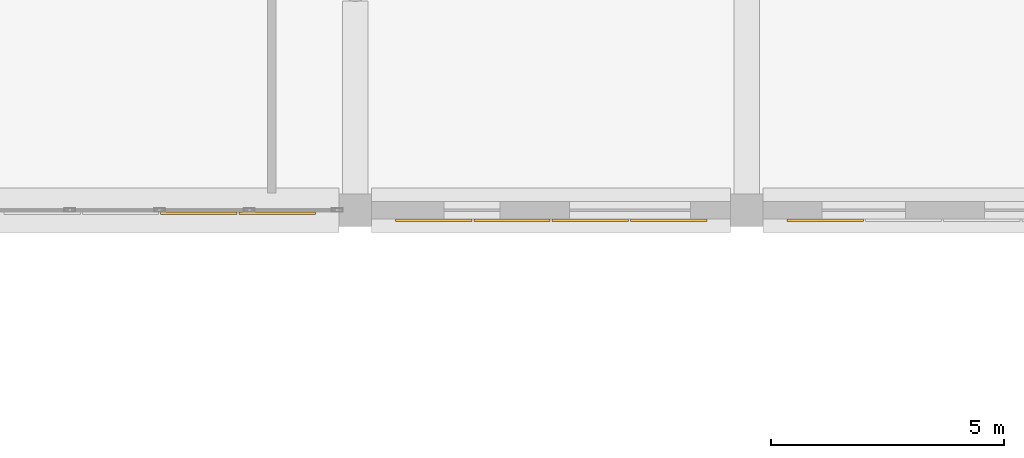
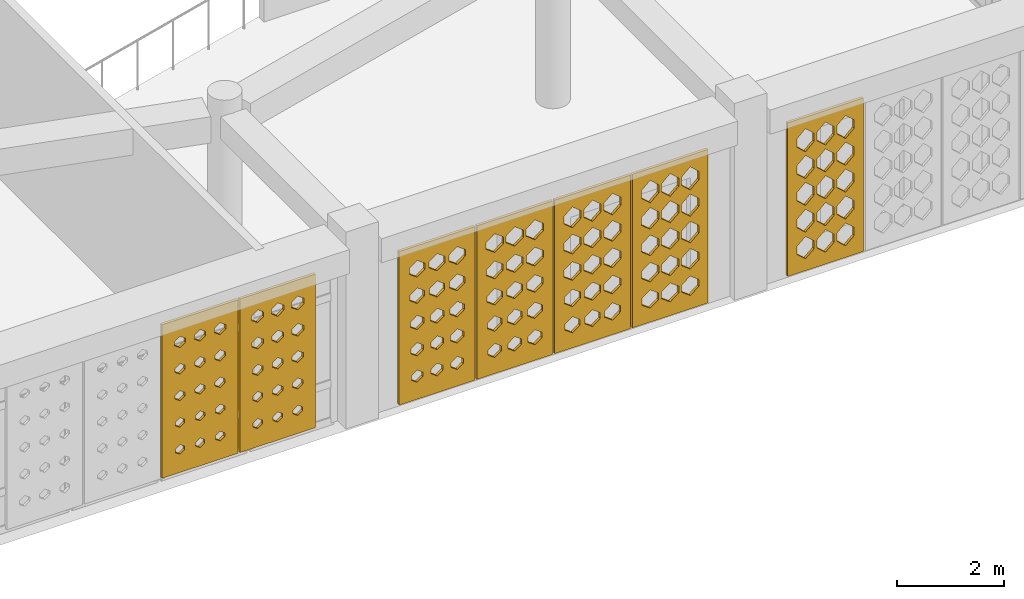
# One storey, part 64 of 79: 7 coverings.
"""IFC4 building model written with IfcOpenShell, lengths in metres."""

import ifcopenshell
import ifcopenshell.guid

model = None  # the IFC model being written
_history = None  # IfcOwnerHistory: only IFC2X3 demands one
_inside = {}  # id of a spatial element -> (the spatial element, [elements in it])
_under = {}  # id of a project, library or spatial element -> (it, [spatial elements below it])
_declared = {}  # id of a project -> (the project, [libraries it declares])
_typed = {}  # id of a type object -> (the type object, [elements of that type])
_made_of = {}  # id of a material, layer set ... -> (it, [elements and type objects made of it])


def new_model(schema):
    """Start an empty IFC model of exactly this schema.

    Asked for "IFC4X3", IfcOpenShell would pick the latest addendum, in which some entities
    have other attributes; the version numbers below select the first issue.
    IFC2X3 requires an IfcOwnerHistory on every rooted entity: one is made here for all.
    """
    global model, _history
    if schema == "IFC4X3":
        model = ifcopenshell.file(schema_version=(4, 3, 0, 0))
    else:
        model = ifcopenshell.file(schema=schema)
    _inside.clear()
    _under.clear()
    _declared.clear()
    _typed.clear()
    _made_of.clear()
    _history = None
    if model.schema == "IFC2X3":
        org = make("IfcOrganization", Name="unknown")
        user = make(
            "IfcPersonAndOrganization",
            ThePerson=make("IfcPerson", FamilyName="unknown"),
            TheOrganization=org,
        )
        app = make(
            "IfcApplication",
            ApplicationDeveloper=org,
            Version="unknown",
            ApplicationFullName="unknown",
            ApplicationIdentifier="unknown",
        )
        _history = make(
            "IfcOwnerHistory",
            OwningUser=user,
            OwningApplication=app,
            ChangeAction="ADDED",
            CreationDate=0,
        )
    return model


def make(cls, **values):
    """One entity of the class cls with the attributes given. An attribute that is None is left unset."""
    return model.create_entity(
        cls, **{name: value for name, value in values.items() if value is not None}
    )


def rooted(cls, **values):
    """An entity with a GlobalId (a new one), such as an element, a storey or a relation."""
    return make(cls, GlobalId=ifcopenshell.guid.new(), OwnerHistory=_history, **values)


def si_unit(unit_type, name, prefix=None):
    """IfcSIUnit, for example si_unit("LENGTHUNIT", "METRE", prefix="MILLI")."""
    return make("IfcSIUnit", UnitType=unit_type, Prefix=prefix, Name=name)


def derived_unit(unit_type, elements):
    """IfcDerivedUnit: a product of units, each with its exponent."""
    return make(
        "IfcDerivedUnit",
        Elements=[
            make("IfcDerivedUnitElement", Unit=unit, Exponent=power)
            for unit, power in elements
        ],
        UnitType=unit_type,
    )


def assignment(units):
    """IfcUnitAssignment: the units of a project."""
    return None if units is None else make("IfcUnitAssignment", Units=units)


def point(xyz):
    """IfcCartesianPoint."""
    return None if xyz is None else make("IfcCartesianPoint", Coordinates=xyz)


def direction(xyz):
    """IfcDirection."""
    return None if xyz is None else make("IfcDirection", DirectionRatios=xyz)


def frame(location, z_axis=None, x_axis=None):
    """IfcAxis2Placement3D, a coordinate frame: its origin and axes. An axis left out is left unset."""
    return make(
        "IfcAxis2Placement3D",
        Location=point(location),
        Axis=direction(z_axis),
        RefDirection=direction(x_axis),
    )


def origin():
    """The frame at (0, 0, 0) with its axes left unset."""
    return frame((0.0, 0.0, 0.0))


def place(relative_to, where):
    """IfcLocalPlacement: puts the frame where relative to a parent placement (None: the world)."""
    return make(
        "IfcLocalPlacement", PlacementRelTo=relative_to, RelativePlacement=where
    )


def context(
    kind, dimensions, precision=None, world=None, true_north=None, identifier=None
):
    """IfcGeometricRepresentationContext, for example the 3D "Model" context."""
    return make(
        "IfcGeometricRepresentationContext",
        ContextIdentifier=identifier,
        ContextType=kind,
        CoordinateSpaceDimension=dimensions,
        Precision=precision,
        WorldCoordinateSystem=world,
        TrueNorth=true_north,
    )


def subcontext(parent, identifier, kind, view, scale=None):
    """IfcGeometricRepresentationSubContext, for example "Body" below "Model"."""
    return make(
        "IfcGeometricRepresentationSubContext",
        ContextIdentifier=identifier,
        ContextType=kind,
        ParentContext=parent,
        TargetScale=scale,
        TargetView=view,
    )


def project(units=None, contexts=None):
    """IfcProject with its units and contexts."""
    return rooted(
        "IfcProject",
        Name="project",
        RepresentationContexts=contexts,
        UnitsInContext=assignment(units),
    )


def spatial(cls, under=None, at=None, **own):
    """A site, building, storey or space (cls), placed at a placement, below another one or the project."""
    s = rooted(cls, ObjectPlacement=at, **own)
    if under is not None:
        _under.setdefault(under.id(), (under, []))[1].append(s)
    return s


def polyline(points):
    """IfcPolyline through the points."""
    return make("IfcPolyline", Points=[point(p) for p in points])


def outline(outer, holes=None, kind="AREA"):
    """IfcArbitraryClosedProfileDef: a profile drawn as a closed curve; with holes, ...WithVoids."""
    if holes is None:
        return make("IfcArbitraryClosedProfileDef", ProfileType=kind, OuterCurve=outer)
    return make(
        "IfcArbitraryProfileDefWithVoids",
        ProfileType=kind,
        OuterCurve=outer,
        InnerCurves=holes,
    )


def extrude(swept, where, along, depth):
    """IfcExtrudedAreaSolid: the profile swept, set in the frame where, extruded along a direction by depth."""
    return make(
        "IfcExtrudedAreaSolid",
        SweptArea=swept,
        Position=where,
        ExtrudedDirection=direction(along),
        Depth=depth,
    )


def shape(context_of_items, identifier, shape_type, items):
    """IfcShapeRepresentation: the items that make up one representation, for example the "Body"."""
    return make(
        "IfcShapeRepresentation",
        ContextOfItems=context_of_items,
        RepresentationIdentifier=identifier,
        RepresentationType=shape_type,
        Items=items,
    )


def material(Name=None, Category=None):
    """IfcMaterial."""
    return make("IfcMaterial", Name=Name, Category=Category)


def layer(
    of_material, thickness, ventilated=None, Name=None, Category=None, Priority=None
):
    """IfcMaterialLayer: one layer of a wall or slab, of a material (None: an air gap)."""
    return make(
        "IfcMaterialLayer",
        Material=of_material,
        LayerThickness=thickness,
        IsVentilated=ventilated,
        Name=Name,
        Category=Category,
        Priority=Priority,
    )


def layer_set(layers, Name=None):
    """IfcMaterialLayerSet."""
    return make("IfcMaterialLayerSet", MaterialLayers=layers, LayerSetName=Name)


def made_of(thing, what):
    """Note that an element or type object is made of a material, layer set ...; save() writes the relation."""
    if what is not None:
        _made_of.setdefault(what.id(), (what, []))[1].append(thing)
    return thing


def type_object(cls, material=None, **own):
    """A type object (cls), such as IfcWallType, which elements share."""
    return made_of(rooted(cls, **own), material)


def element(
    cls,
    number,
    at=None,
    inside=None,
    cuts=None,
    type_object=None,
    material=None,
    context=None,
    identifier="Body",
    shape_type=None,
    held_by="IfcProductDefinitionShape",
    body=None,
    shapes=None,
    **own,
):
    """One element of the class cls, such as IfcWall. Its Tag is "e" and its number.

    at: its placement. inside: the storey or other place that contains it. cuts: it is an
    opening in that element (IfcRelVoidsElement). A single representation is given by context,
    identifier, shape_type and body (its items); several are given by shapes. held_by: the class
    of the entity that holds the representations. save() writes the other relations.
    """
    e = rooted(cls, Tag="e%d" % number, ObjectPlacement=at, **own)
    if body is not None:
        shapes = [shape(context, identifier, shape_type, body)]
    if shapes is not None:
        e.Representation = make(held_by, Representations=shapes)
    if inside is not None:
        _inside.setdefault(inside.id(), (inside, []))[1].append(e)
    if cuts is not None:
        rooted(
            "IfcRelVoidsElement", RelatingBuildingElement=cuts, RelatedOpeningElement=e
        )
    if type_object is not None:
        _typed.setdefault(type_object.id(), (type_object, []))[1].append(e)
    return made_of(e, material)


def aggregate(whole, parts):
    """IfcRelAggregates: a whole, such as a stair, and the parts it consists of."""
    return rooted("IfcRelAggregates", RelatingObject=whole, RelatedObjects=parts)


def save(model, path):
    """Write the relations noted so far, then the file.

    IfcRelAggregates (storeys below a building ...), IfcRelContainedInSpatialStructure (elements
    in a storey), IfcRelDefinesByType, IfcRelAssociatesMaterial and IfcRelDeclares: one each for
    every whole, place, type object, material and project.
    """
    for whole, parts in _under.values():
        aggregate(whole, parts)
    for where, things in _inside.values():
        rooted(
            "IfcRelContainedInSpatialStructure",
            RelatedElements=things,
            RelatingStructure=where,
        )
    for kind, things in _typed.values():
        rooted("IfcRelDefinesByType", RelatedObjects=things, RelatingType=kind)
    for what, things in _made_of.values():
        rooted("IfcRelAssociatesMaterial", RelatedObjects=things, RelatingMaterial=what)
    for by, libraries in _declared.values():
        rooted("IfcRelDeclares", RelatingContext=by, RelatedDefinitions=libraries)
    model.write(path)


model = new_model("IFC4")

# Units and contexts
model_context = context("Model", 3, precision=1e-05, world=origin(), true_north=direction((0.0, 1.0)))
body_context = subcontext(model_context, "Body", "Model", "MODEL_VIEW")
ifc_project = project(units=[si_unit("LENGTHUNIT", "METRE"), si_unit("AREAUNIT", "SQUARE_METRE"), si_unit("VOLUMEUNIT", "CUBIC_METRE"), si_unit("PLANEANGLEUNIT", "RADIAN"), si_unit("MASSUNIT", "GRAM", prefix="KILO"), derived_unit("THERMALTRANSMITTANCEUNIT", [(si_unit("POWERUNIT", "WATT"), 1), (si_unit("LENGTHUNIT", "METRE"), -2), (si_unit("THERMODYNAMICTEMPERATUREUNIT", "KELVIN"), -1)])], contexts=[model_context])

# Site, building, storey
site_placement = place(None, origin())
site = spatial("IfcSite", under=ifc_project, at=site_placement, CompositionType="ELEMENT")
building_placement = place(site_placement, origin())
building = spatial("IfcBuilding", under=site, at=building_placement, Name="Veybourne Emporium", CompositionType="ELEMENT")
storey_placement = place(building_placement, frame((0.0, 0.0, 18.89990234375)))
storey = spatial("IfcBuildingStorey", under=building, at=storey_placement, Name="L04", CompositionType="ELEMENT", Elevation=18.89990234375)

# Coverings
ifc_material = material(Name="Warm-White Perforated Aluminium Screen Alloy", Category="aluminium")
ifc_layer_1 = layer(ifc_material, 0.06005859375)
ifc_layer_set_1 = layer_set([ifc_layer_1], Name="Warm-White Perforated Aluminium Screen Alloy")
covering_type_1 = type_object("IfcCoveringType", Name="WaveScreen_SCR-01", PredefinedType="CLADDING", material=ifc_layer_set_1)
covering_1_placement = place(storey_placement, frame((80.639892578125, 28.552001953125, 1.815185546875), z_axis=(0.0, 1.0, 0.0), x_axis=(-1.0, 0.0, 0.0)))
element("IfcCovering", 1, at=covering_1_placement, inside=storey, type_object=covering_type_1, Name="L04 wave-perforated aluminium screen SCR-01 (38.2)", PredefinedType="CLADDING", context=body_context, shape_type="SweptSolid", body=[
    extrude(outline(polyline([(-0.81982421875, -1.7548828125), (0.81982421875, -1.7548828125), (0.81982421875, 1.7548828125), (-0.81982421875, 1.7548828125), (-0.81982421875, -1.7548828125)]), holes=[polyline([(-0.433349609375, -1.030517578125), (-0.26171875, -1.156982421875), (-0.26171875, -1.299072265625), (-0.433349609375, -1.425537109375), (-0.60498046875, -1.299072265625), (-0.60498046875, -1.156982421875), (-0.433349609375, -1.030517578125)]), polyline([(-0.433349609375, -0.40234375), (-0.250244140625, -0.537841796875), (-0.250244140625, -0.690185546875), (-0.433349609375, -0.82568359375), (-0.616455078125, -0.690185546875), (-0.616455078125, -0.537841796875), (-0.433349609375, -0.40234375)]), polyline([(-0.433349609375, 0.22509765625), (-0.2470703125, 0.0810546875), (-0.2470703125, -0.0810546875), (-0.433349609375, -0.22509765625), (-0.61962890625, -0.0810546875), (-0.61962890625, 0.0810546875), (-0.433349609375, 0.22509765625)]), polyline([(-0.433349609375, 0.8515625), (-0.2470703125, 0.699462890625), (-0.2470703125, 0.528564453125), (-0.433349609375, 0.37646484375), (-0.61962890625, 0.528564453125), (-0.61962890625, 0.699462890625), (-0.433349609375, 0.8515625)]), polyline([(-0.433349609375, 1.476806640625), (-0.2470703125, 1.3173828125), (-0.2470703125, 1.138427734375), (-0.433349609375, 0.979248046875), (-0.61962890625, 1.138427734375), (-0.61962890625, 1.3173828125), (-0.433349609375, 1.476806640625)]), polyline([(0.0, -1.036865234375), (0.16650390625, -1.1591796875), (0.16650390625, -1.296875), (0.0, -1.419189453125), (-0.16650390625, -1.296875), (-0.16650390625, -1.1591796875), (0.0, -1.036865234375)]), polyline([(0.0, -0.40869140625), (0.177978515625, -0.5400390625), (0.177978515625, -0.68798828125), (0.0, -0.8193359375), (-0.177978515625, -0.68798828125), (-0.177978515625, -0.5400390625), (0.0, -0.40869140625)]), polyline([(0.0, 0.218994140625), (0.186279296875, 0.078857421875), (0.186279296875, -0.078857421875), (0.0, -0.218994140625), (-0.186279296875, -0.078857421875), (-0.186279296875, 0.078857421875), (0.0, 0.218994140625)]), polyline([(0.0, 0.845947265625), (0.186279296875, 0.697509765625), (0.186279296875, 0.530517578125), (0.0, 0.382080078125), (-0.186279296875, 0.530517578125), (-0.186279296875, 0.697509765625), (0.0, 0.845947265625)]), polyline([(0.0, 1.4716796875), (0.186279296875, 1.31591796875), (0.186279296875, 1.14013671875), (0.0, 0.984130859375), (-0.186279296875, 1.14013671875), (-0.186279296875, 1.31591796875), (0.0, 1.4716796875)]), polyline([(0.433349609375, -1.043212890625), (0.594482421875, -1.16162109375), (0.594482421875, -1.29443359375), (0.433349609375, -1.41259765625), (0.272216796875, -1.29443359375), (0.272216796875, -1.16162109375), (0.433349609375, -1.043212890625)]), polyline([(0.433349609375, -0.4150390625), (0.606201171875, -0.54248046875), (0.606201171875, -0.685546875), (0.433349609375, -0.81298828125), (0.260498046875, -0.685546875), (0.260498046875, -0.54248046875), (0.433349609375, -0.4150390625)]), polyline([(0.433349609375, 0.212890625), (0.617431640625, 0.07666015625), (0.617431640625, -0.07666015625), (0.433349609375, -0.212890625), (0.249267578125, -0.07666015625), (0.249267578125, 0.07666015625), (0.433349609375, 0.212890625)]), polyline([(0.433349609375, 0.840087890625), (0.61962890625, 0.6953125), (0.61962890625, 0.53271484375), (0.433349609375, 0.3876953125), (0.2470703125, 0.53271484375), (0.2470703125, 0.6953125), (0.433349609375, 0.840087890625)]), polyline([(0.433349609375, 1.466552734375), (0.61962890625, 1.31396484375), (0.61962890625, 1.14208984375), (0.433349609375, 0.989501953125), (0.2470703125, 1.14208984375), (0.2470703125, 1.31396484375), (0.433349609375, 1.466552734375)])]), origin(), (0.0, 0.0, 1.0), 0.06005859375),
])
ifc_layer_2 = layer(ifc_material, 0.06005859375)
ifc_layer_set_2 = layer_set([ifc_layer_2], Name="Warm-White Perforated Aluminium Screen Alloy")
covering_type_2 = type_object("IfcCoveringType", Name="WaveScreen_SCR-02", PredefinedType="CLADDING", material=ifc_layer_set_2)
covering_2_placement = place(storey_placement, frame((73.919921875, 28.702880859375, 1.815185546875), z_axis=(0.0, 1.0, 0.0), x_axis=(-1.0, 0.0, 0.0)))
element("IfcCovering", 2, at=covering_2_placement, inside=storey, type_object=covering_type_2, Name="L04 wave-perforated aluminium screen SCR-02 (36C.1)", PredefinedType="CLADDING", context=body_context, shape_type="SweptSolid", body=[
    extrude(outline(polyline([(-0.81982421875, -1.7548828125), (0.81982421875, -1.7548828125), (0.81982421875, 1.7548828125), (-0.81982421875, 1.7548828125), (-0.81982421875, -1.7548828125)]), holes=[polyline([(-0.433349609375, -1.10986328125), (-0.32666015625, -1.185302734375), (-0.32666015625, -1.2705078125), (-0.433349609375, -1.34619140625), (-0.5400390625, -1.2705078125), (-0.5400390625, -1.185302734375), (-0.433349609375, -1.10986328125)]), polyline([(-0.433349609375, -0.488525390625), (-0.32080078125, -0.56884765625), (-0.32080078125, -0.6591796875), (-0.433349609375, -0.739501953125), (-0.5458984375, -0.6591796875), (-0.5458984375, -0.56884765625), (-0.433349609375, -0.488525390625)]), polyline([(-0.433349609375, 0.134765625), (-0.313232421875, 0.048583984375), (-0.313232421875, -0.048583984375), (-0.433349609375, -0.134765625), (-0.553466796875, -0.048583984375), (-0.553466796875, 0.048583984375), (-0.433349609375, 0.134765625)]), polyline([(-0.433349609375, 0.759521484375), (-0.30419921875, 0.66650390625), (-0.30419921875, 0.5615234375), (-0.433349609375, 0.468505859375), (-0.5625, 0.5615234375), (-0.5625, 0.66650390625), (-0.433349609375, 0.759521484375)]), polyline([(-0.433349609375, 1.385986328125), (-0.294189453125, 1.284912109375), (-0.294189453125, 1.171142578125), (-0.433349609375, 1.070068359375), (-0.572509765625, 1.171142578125), (-0.572509765625, 1.284912109375), (-0.433349609375, 1.385986328125)]), polyline([(0.0, -1.1123046875), (0.1044921875, -1.186279296875), (0.1044921875, -1.26953125), (0.0, -1.343505859375), (-0.1044921875, -1.26953125), (-0.1044921875, -1.186279296875), (0.0, -1.1123046875)]), polyline([(0.0, -0.4921875), (0.109619140625, -0.570068359375), (0.109619140625, -0.657958984375), (0.0, -0.73583984375), (-0.109619140625, -0.657958984375), (-0.109619140625, -0.570068359375), (0.0, -0.4921875)]), polyline([(0.0, 0.130126953125), (0.11669921875, 0.046875), (0.11669921875, -0.046875), (0.0, -0.130126953125), (-0.11669921875, -0.046875), (-0.11669921875, 0.046875), (0.0, 0.130126953125)]), polyline([(0.0, 0.75439453125), (0.125, 0.66455078125), (0.125, 0.5634765625), (0.0, 0.4736328125), (-0.125, 0.5634765625), (-0.125, 0.66455078125), (0.0, 0.75439453125)]), polyline([(0.0, 1.380126953125), (0.134521484375, 1.28271484375), (0.134521484375, 1.173095703125), (0.0, 1.075927734375), (-0.134521484375, 1.173095703125), (-0.134521484375, 1.28271484375), (0.0, 1.380126953125)]), polyline([(0.433349609375, -1.114501953125), (0.5361328125, -1.18701171875), (0.5361328125, -1.268798828125), (0.433349609375, -1.341552734375), (0.330322265625, -1.268798828125), (0.330322265625, -1.18701171875), (0.433349609375, -1.114501953125)]), polyline([(0.433349609375, -0.4951171875), (0.54052734375, -0.5712890625), (0.54052734375, -0.65673828125), (0.433349609375, -0.73291015625), (0.326171875, -0.65673828125), (0.326171875, -0.5712890625), (0.433349609375, -0.4951171875)]), polyline([(0.433349609375, 0.126220703125), (0.546630859375, 0.04541015625), (0.546630859375, -0.04541015625), (0.433349609375, -0.126220703125), (0.320068359375, -0.04541015625), (0.320068359375, 0.04541015625), (0.433349609375, 0.126220703125)]), polyline([(0.433349609375, 0.74951171875), (0.55419921875, 0.662841796875), (0.55419921875, 0.565185546875), (0.433349609375, 0.478515625), (0.3125, 0.565185546875), (0.3125, 0.662841796875), (0.433349609375, 0.74951171875)]), polyline([(0.433349609375, 1.374755859375), (0.563232421875, 1.28076171875), (0.563232421875, 1.17529296875), (0.433349609375, 1.081298828125), (0.30322265625, 1.17529296875), (0.30322265625, 1.28076171875), (0.433349609375, 1.374755859375)])]), origin(), (0.0, 0.0, 1.0), 0.06005859375),
])
covering_3_placement = place(storey_placement, frame((78.9599609375, 28.552001953125, 1.815185546875), z_axis=(0.0, 1.0, 0.0), x_axis=(-1.0, 0.0, 0.0)))
element("IfcCovering", 3, at=covering_3_placement, inside=storey, type_object=covering_type_2, Name="L04 wave-perforated aluminium screen SCR-02 (38.3)", PredefinedType="CLADDING", context=body_context, shape_type="SweptSolid", body=[
    extrude(outline(polyline([(-0.81982421875, -1.7548828125), (0.81982421875, -1.7548828125), (0.81982421875, 1.7548828125), (-0.81982421875, 1.7548828125), (-0.81982421875, -1.7548828125)]), holes=[polyline([(-0.433349609375, -1.05517578125), (-0.281982421875, -1.165771484375), (-0.281982421875, -1.290283203125), (-0.433349609375, -1.40087890625), (-0.584716796875, -1.290283203125), (-0.584716796875, -1.165771484375), (-0.433349609375, -1.05517578125)]), polyline([(-0.433349609375, -0.42724609375), (-0.2705078125, -0.546630859375), (-0.2705078125, -0.681396484375), (-0.433349609375, -0.80078125), (-0.59619140625, -0.681396484375), (-0.59619140625, -0.546630859375), (-0.433349609375, -0.42724609375)]), polyline([(-0.433349609375, 0.200927734375), (-0.2587890625, 0.072509765625), (-0.2587890625, -0.072509765625), (-0.433349609375, -0.200927734375), (-0.60791015625, -0.072509765625), (-0.60791015625, 0.072509765625), (-0.433349609375, 0.200927734375)]), polyline([(-0.433349609375, 0.828857421875), (-0.24755859375, 0.69140625), (-0.24755859375, 0.53662109375), (-0.433349609375, 0.399169921875), (-0.619140625, 0.53662109375), (-0.619140625, 0.69140625), (-0.433349609375, 0.828857421875)]), polyline([(-0.433349609375, 1.456298828125), (-0.2470703125, 1.31005859375), (-0.2470703125, 1.14599609375), (-0.433349609375, 0.999755859375), (-0.61962890625, 1.14599609375), (-0.61962890625, 1.31005859375), (-0.433349609375, 1.456298828125)]), polyline([(0.0, -1.061279296875), (0.146240234375, -1.16796875), (0.146240234375, -1.2880859375), (0.0, -1.39453125), (-0.146240234375, -1.2880859375), (-0.146240234375, -1.16796875), (0.0, -1.061279296875)]), polyline([(0.0, -0.43359375), (0.15771484375, -0.549072265625), (0.15771484375, -0.678955078125), (0.0, -0.79443359375), (-0.15771484375, -0.678955078125), (-0.15771484375, -0.549072265625), (0.0, -0.43359375)]), polyline([(0.0, 0.194580078125), (0.169189453125, 0.070068359375), (0.169189453125, -0.070068359375), (0.0, -0.194580078125), (-0.169189453125, -0.070068359375), (-0.169189453125, 0.070068359375), (0.0, 0.194580078125)]), polyline([(0.0, 0.822509765625), (0.1806640625, 0.689208984375), (0.1806640625, 0.538818359375), (0.0, 0.405517578125), (-0.1806640625, 0.538818359375), (-0.1806640625, 0.689208984375), (0.0, 0.822509765625)]), polyline([(0.0, 1.4501953125), (0.186279296875, 1.30810546875), (0.186279296875, 1.14794921875), (0.0, 1.005859375), (-0.186279296875, 1.14794921875), (-0.186279296875, 1.30810546875), (0.0, 1.4501953125)]), polyline([(0.433349609375, -1.0673828125), (0.57470703125, -1.170166015625), (0.57470703125, -1.285888671875), (0.433349609375, -1.388671875), (0.2919921875, -1.285888671875), (0.2919921875, -1.170166015625), (0.433349609375, -1.0673828125)]), polyline([(0.433349609375, -0.43994140625), (0.585693359375, -0.55126953125), (0.585693359375, -0.6767578125), (0.433349609375, -0.7880859375), (0.281005859375, -0.6767578125), (0.281005859375, -0.55126953125), (0.433349609375, -0.43994140625)]), polyline([(0.433349609375, 0.18798828125), (0.597412109375, 0.067626953125), (0.597412109375, -0.067626953125), (0.433349609375, -0.18798828125), (0.269287109375, -0.067626953125), (0.269287109375, 0.067626953125), (0.433349609375, 0.18798828125)]), polyline([(0.433349609375, 0.81640625), (0.60888671875, 0.686767578125), (0.60888671875, 0.541259765625), (0.433349609375, 0.41162109375), (0.2578125, 0.541259765625), (0.2578125, 0.686767578125), (0.433349609375, 0.81640625)]), polyline([(0.433349609375, 1.444091796875), (0.61962890625, 1.305908203125), (0.61962890625, 1.150146484375), (0.433349609375, 1.01171875), (0.2470703125, 1.150146484375), (0.2470703125, 1.305908203125), (0.433349609375, 1.444091796875)])]), origin(), (0.0, 0.0, 1.0), 0.06005859375),
])
covering_4_placement = place(storey_placement, frame((85.679931640625, 28.552001953125, 1.815185546875), z_axis=(0.0, 1.0, 0.0), x_axis=(-1.0, 0.0, 0.0)))
element("IfcCovering", 4, at=covering_4_placement, inside=storey, type_object=covering_type_2, Name="L04 wave-perforated aluminium screen SCR-02 (41.4)", PredefinedType="CLADDING", context=body_context, shape_type="SweptSolid", body=[
    extrude(outline(polyline([(-0.81982421875, -1.7548828125), (0.81982421875, -1.7548828125), (0.81982421875, 1.7548828125), (-0.81982421875, 1.7548828125), (-0.81982421875, -1.7548828125)]), holes=[polyline([(-0.433349609375, -0.967529296875), (-0.2470703125, -1.13427734375), (-0.2470703125, -1.32177734375), (-0.433349609375, -1.488525390625), (-0.61962890625, -1.32177734375), (-0.61962890625, -1.13427734375), (-0.433349609375, -0.967529296875)]), polyline([(-0.433349609375, -0.35009765625), (-0.2470703125, -0.51904296875), (-0.2470703125, -0.708984375), (-0.433349609375, -0.8779296875), (-0.61962890625, -0.708984375), (-0.61962890625, -0.51904296875), (-0.433349609375, -0.35009765625)]), polyline([(-0.433349609375, 0.263916015625), (-0.2470703125, 0.094970703125), (-0.2470703125, -0.094970703125), (-0.433349609375, -0.263916015625), (-0.61962890625, -0.094970703125), (-0.61962890625, 0.094970703125), (-0.433349609375, 0.263916015625)]), polyline([(-0.433349609375, 0.8779296875), (-0.2470703125, 0.708984375), (-0.2470703125, 0.51904296875), (-0.433349609375, 0.35009765625), (-0.61962890625, 0.51904296875), (-0.61962890625, 0.708984375), (-0.433349609375, 0.8779296875)]), polyline([(-0.433349609375, 1.491943359375), (-0.2470703125, 1.322998046875), (-0.2470703125, 1.133056640625), (-0.433349609375, 0.964111328125), (-0.61962890625, 1.133056640625), (-0.61962890625, 1.322998046875), (-0.433349609375, 1.491943359375)]), polyline([(0.0, -0.971435546875), (0.186279296875, -1.135498046875), (0.186279296875, -1.3203125), (0.0, -1.484619140625), (-0.186279296875, -1.3203125), (-0.186279296875, -1.135498046875), (0.0, -0.971435546875)]), polyline([(0.0, -0.35009765625), (0.186279296875, -0.51904296875), (0.186279296875, -0.708984375), (0.0, -0.8779296875), (-0.186279296875, -0.708984375), (-0.186279296875, -0.51904296875), (0.0, -0.35009765625)]), polyline([(0.0, 0.263916015625), (0.186279296875, 0.094970703125), (0.186279296875, -0.094970703125), (0.0, -0.263916015625), (-0.186279296875, -0.094970703125), (-0.186279296875, 0.094970703125), (0.0, 0.263916015625)]), polyline([(0.0, 0.8779296875), (0.186279296875, 0.708984375), (0.186279296875, 0.51904296875), (0.0, 0.35009765625), (-0.186279296875, 0.51904296875), (-0.186279296875, 0.708984375), (0.0, 0.8779296875)]), polyline([(0.0, 1.491943359375), (0.186279296875, 1.322998046875), (0.186279296875, 1.133056640625), (0.0, 0.964111328125), (-0.186279296875, 1.133056640625), (-0.186279296875, 1.322998046875), (0.0, 1.491943359375)]), polyline([(0.433349609375, -0.9755859375), (0.61962890625, -1.13720703125), (0.61962890625, -1.31884765625), (0.433349609375, -1.48046875), (0.2470703125, -1.31884765625), (0.2470703125, -1.13720703125), (0.433349609375, -0.9755859375)]), polyline([(0.433349609375, -0.352783203125), (0.61962890625, -0.52001953125), (0.61962890625, -0.7080078125), (0.433349609375, -0.875244140625), (0.2470703125, -0.7080078125), (0.2470703125, -0.52001953125), (0.433349609375, -0.352783203125)]), polyline([(0.433349609375, 0.263916015625), (0.61962890625, 0.094970703125), (0.61962890625, -0.094970703125), (0.433349609375, -0.263916015625), (0.2470703125, -0.094970703125), (0.2470703125, 0.094970703125), (0.433349609375, 0.263916015625)]), polyline([(0.433349609375, 0.8779296875), (0.61962890625, 0.708984375), (0.61962890625, 0.51904296875), (0.433349609375, 0.35009765625), (0.2470703125, 0.51904296875), (0.2470703125, 0.708984375), (0.433349609375, 0.8779296875)]), polyline([(0.433349609375, 1.491943359375), (0.61962890625, 1.322998046875), (0.61962890625, 1.133056640625), (0.433349609375, 0.964111328125), (0.2470703125, 1.133056640625), (0.2470703125, 1.322998046875), (0.433349609375, 1.491943359375)])]), origin(), (0.0, 0.0, 1.0), 0.06005859375),
])
ifc_layer_3 = layer(ifc_material, 0.06005859375)
ifc_layer_set_3 = layer_set([ifc_layer_3], Name="Warm-White Perforated Aluminium Screen Alloy")
covering_type_3 = type_object("IfcCoveringType", Name="WaveScreen_SCR-03", PredefinedType="CLADDING", material=ifc_layer_set_3)
covering_5_placement = place(storey_placement, frame((72.239990234375, 28.702880859375, 1.815185546875), z_axis=(0.0, 1.0, 0.0), x_axis=(-1.0, 0.0, 0.0)))
element("IfcCovering", 5, at=covering_5_placement, inside=storey, type_object=covering_type_3, Name="L04 wave-perforated aluminium screen SCR-03 (36C.2)", PredefinedType="CLADDING", context=body_context, shape_type="SweptSolid", body=[
    extrude(outline(polyline([(-0.81982421875, -1.7548828125), (0.81982421875, -1.7548828125), (0.81982421875, 1.7548828125), (-0.81982421875, 1.7548828125), (-0.81982421875, -1.7548828125)]), holes=[polyline([(-0.433349609375, -1.1171875), (-0.33251953125, -1.18798828125), (-0.33251953125, -1.267822265625), (-0.433349609375, -1.3388671875), (-0.5341796875, -1.267822265625), (-0.5341796875, -1.18798828125), (-0.433349609375, -1.1171875)]), polyline([(-0.433349609375, -0.499755859375), (-0.329833984375, -0.572998046875), (-0.329833984375, -0.655029296875), (-0.433349609375, -0.728271484375), (-0.53662109375, -0.655029296875), (-0.53662109375, -0.572998046875), (-0.433349609375, -0.499755859375)]), polyline([(-0.433349609375, 0.119873046875), (-0.3251953125, 0.043212890625), (-0.3251953125, -0.043212890625), (-0.433349609375, -0.119873046875), (-0.541259765625, -0.043212890625), (-0.541259765625, 0.043212890625), (-0.433349609375, 0.119873046875)]), polyline([(-0.433349609375, 0.741455078125), (-0.319091796875, 0.659912109375), (-0.319091796875, 0.568115234375), (-0.433349609375, 0.486572265625), (-0.547607421875, 0.568115234375), (-0.547607421875, 0.659912109375), (-0.433349609375, 0.741455078125)]), polyline([(-0.433349609375, 1.364990234375), (-0.31103515625, 1.27734375), (-0.31103515625, 1.1787109375), (-0.433349609375, 1.0908203125), (-0.555419921875, 1.1787109375), (-0.555419921875, 1.27734375), (-0.433349609375, 1.364990234375)]), polyline([(0.0, -1.117919921875), (0.10009765625, -1.188232421875), (0.10009765625, -1.267578125), (0.0, -1.338134765625), (-0.10009765625, -1.267578125), (-0.10009765625, -1.188232421875), (0.0, -1.117919921875)]), polyline([(0.0, -0.501708984375), (0.10205078125, -0.573486328125), (0.10205078125, -0.654541015625), (0.0, -0.726318359375), (-0.10205078125, -0.654541015625), (-0.10205078125, -0.573486328125), (0.0, -0.501708984375)]), polyline([(0.0, 0.116943359375), (0.105712890625, 0.0419921875), (0.105712890625, -0.0419921875), (0.0, -0.116943359375), (-0.105712890625, -0.0419921875), (-0.105712890625, 0.0419921875), (0.0, 0.116943359375)]), polyline([(0.0, 0.73779296875), (0.111083984375, 0.658447265625), (0.111083984375, 0.569580078125), (0.0, 0.490234375), (-0.111083984375, 0.569580078125), (-0.111083984375, 0.658447265625), (0.0, 0.73779296875)]), polyline([(0.0, 1.360595703125), (0.118408203125, 1.275634765625), (0.118408203125, 1.180419921875), (0.0, 1.095458984375), (-0.118408203125, 1.180419921875), (-0.118408203125, 1.275634765625), (0.0, 1.360595703125)]), polyline([(0.433349609375, -1.117919921875), (0.533203125, -1.1884765625), (0.533203125, -1.267578125), (0.433349609375, -1.337890625), (0.333251953125, -1.267578125), (0.333251953125, -1.1884765625), (0.433349609375, -1.117919921875)]), polyline([(0.433349609375, -0.5029296875), (0.5341796875, -0.573974609375), (0.5341796875, -0.654052734375), (0.433349609375, -0.72509765625), (0.33251953125, -0.654052734375), (0.33251953125, -0.573974609375), (0.433349609375, -0.5029296875)]), polyline([(0.433349609375, 0.114501953125), (0.537109375, 0.041259765625), (0.537109375, -0.041259765625), (0.433349609375, -0.114501953125), (0.32958984375, -0.041259765625), (0.32958984375, 0.041259765625), (0.433349609375, 0.114501953125)]), polyline([(0.433349609375, 0.734375), (0.541748046875, 0.6572265625), (0.541748046875, 0.57080078125), (0.433349609375, 0.49365234375), (0.32470703125, 0.57080078125), (0.32470703125, 0.6572265625), (0.433349609375, 0.734375)]), polyline([(0.433349609375, 1.356201171875), (0.54833984375, 1.274169921875), (0.54833984375, 1.181884765625), (0.433349609375, 1.099609375), (0.318359375, 1.181884765625), (0.318359375, 1.274169921875), (0.433349609375, 1.356201171875)])]), origin(), (0.0, 0.0, 1.0), 0.06005859375),
])
covering_6_placement = place(storey_placement, frame((77.280029296875, 28.552001953125, 1.815185546875), z_axis=(0.0, 1.0, 0.0), x_axis=(-1.0, 0.0, 0.0)))
element("IfcCovering", 6, at=covering_6_placement, inside=storey, type_object=covering_type_3, Name="L04 wave-perforated aluminium screen SCR-03 (38.4)", PredefinedType="CLADDING", context=body_context, shape_type="SweptSolid", body=[
    extrude(outline(polyline([(-0.81982421875, -1.7548828125), (0.81982421875, -1.7548828125), (0.81982421875, 1.7548828125), (-0.81982421875, 1.7548828125), (-0.81982421875, -1.7548828125)]), holes=[polyline([(-0.433349609375, -1.078125), (-0.30078125, -1.174072265625), (-0.30078125, -1.281982421875), (-0.433349609375, -1.3779296875), (-0.56591796875, -1.281982421875), (-0.56591796875, -1.174072265625), (-0.433349609375, -1.078125)]), polyline([(-0.433349609375, -0.451416015625), (-0.290283203125, -0.555419921875), (-0.290283203125, -0.672607421875), (-0.433349609375, -0.776611328125), (-0.576416015625, -0.672607421875), (-0.576416015625, -0.555419921875), (-0.433349609375, -0.451416015625)]), polyline([(-0.433349609375, 0.17626953125), (-0.279296875, 0.0634765625), (-0.279296875, -0.0634765625), (-0.433349609375, -0.17626953125), (-0.58740234375, -0.0634765625), (-0.58740234375, 0.0634765625), (-0.433349609375, 0.17626953125)]), polyline([(-0.433349609375, 0.80419921875), (-0.267578125, 0.6826171875), (-0.267578125, 0.54541015625), (-0.433349609375, 0.423828125), (-0.59912109375, 0.54541015625), (-0.59912109375, 0.6826171875), (-0.433349609375, 0.80419921875)]), polyline([(-0.433349609375, 1.432373046875), (-0.256103515625, 1.301513671875), (-0.256103515625, 1.154296875), (-0.433349609375, 1.023681640625), (-0.610595703125, 1.154296875), (-0.610595703125, 1.301513671875), (-0.433349609375, 1.432373046875)]), polyline([(0.0, -1.08349609375), (0.128173828125, -1.176025390625), (0.128173828125, -1.280029296875), (0.0, -1.37255859375), (-0.128173828125, -1.280029296875), (-0.128173828125, -1.176025390625), (0.0, -1.08349609375)]), polyline([(0.0, -0.457275390625), (0.13818359375, -0.5576171875), (0.13818359375, -0.67041015625), (0.0, -0.770751953125), (-0.13818359375, -0.67041015625), (-0.13818359375, -0.5576171875), (0.0, -0.457275390625)]), polyline([(0.0, 0.169921875), (0.14892578125, 0.061279296875), (0.14892578125, -0.061279296875), (0.0, -0.169921875), (-0.14892578125, -0.061279296875), (-0.14892578125, 0.061279296875), (0.0, 0.169921875)]), polyline([(0.0, 0.7978515625), (0.160400390625, 0.68017578125), (0.160400390625, 0.5478515625), (0.0, 0.43017578125), (-0.160400390625, 0.5478515625), (-0.160400390625, 0.68017578125), (0.0, 0.7978515625)]), polyline([(0.0, 1.426025390625), (0.172119140625, 1.29931640625), (0.172119140625, 1.15673828125), (0.0, 1.030029296875), (-0.172119140625, 1.15673828125), (-0.172119140625, 1.29931640625), (0.0, 1.426025390625)]), polyline([(0.433349609375, -1.088623046875), (0.557373046875, -1.177734375), (0.557373046875, -1.2783203125), (0.433349609375, -1.367431640625), (0.309326171875, -1.2783203125), (0.309326171875, -1.177734375), (0.433349609375, -1.088623046875)]), polyline([(0.433349609375, -0.462890625), (0.56689453125, -0.5595703125), (0.56689453125, -0.66845703125), (0.433349609375, -0.764892578125), (0.2998046875, -0.66845703125), (0.2998046875, -0.5595703125), (0.433349609375, -0.462890625)]), polyline([(0.433349609375, 0.163818359375), (0.577392578125, 0.05908203125), (0.577392578125, -0.05908203125), (0.433349609375, -0.163818359375), (0.289306640625, -0.05908203125), (0.289306640625, 0.05908203125), (0.433349609375, 0.163818359375)]), polyline([(0.433349609375, 0.79150390625), (0.58837890625, 0.677978515625), (0.58837890625, 0.550048828125), (0.433349609375, 0.4365234375), (0.278076171875, 0.550048828125), (0.278076171875, 0.677978515625), (0.433349609375, 0.79150390625)]), polyline([(0.433349609375, 1.41943359375), (0.60009765625, 1.297119140625), (0.60009765625, 1.158935546875), (0.433349609375, 1.03662109375), (0.2666015625, 1.158935546875), (0.2666015625, 1.297119140625), (0.433349609375, 1.41943359375)])]), origin(), (0.0, 0.0, 1.0), 0.06005859375),
])
ifc_layer_4 = layer(ifc_material, 0.06005859375)
ifc_layer_set_4 = layer_set([ifc_layer_4], Name="Warm-White Perforated Aluminium Screen Alloy")
covering_type_4 = type_object("IfcCoveringType", Name="WaveScreen_SCR-04", PredefinedType="CLADDING", material=ifc_layer_set_4)
covering_7_placement = place(storey_placement, frame((82.320068359375, 28.552001953125, 1.815185546875), z_axis=(0.0, 1.0, 0.0), x_axis=(-1.0, 0.0, 0.0)))
element("IfcCovering", 7, at=covering_7_placement, inside=storey, type_object=covering_type_4, Name="L04 wave-perforated aluminium screen SCR-04 (38.1)", PredefinedType="CLADDING", context=body_context, shape_type="SweptSolid", body=[
    extrude(outline(polyline([(-0.81982421875, -1.7548828125), (0.81982421875, -1.7548828125), (0.81982421875, 1.7548828125), (-0.81982421875, 1.7548828125), (-0.81982421875, -1.7548828125)]), holes=[polyline([(-0.433349609375, -1.006103515625), (-0.2470703125, -1.148193359375), (-0.2470703125, -1.307861328125), (-0.433349609375, -1.449951171875), (-0.61962890625, -1.307861328125), (-0.61962890625, -1.148193359375), (-0.433349609375, -1.006103515625)]), polyline([(-0.433349609375, -0.37939453125), (-0.2470703125, -0.529541015625), (-0.2470703125, -0.698486328125), (-0.433349609375, -0.8486328125), (-0.61962890625, -0.698486328125), (-0.61962890625, -0.529541015625), (-0.433349609375, -0.37939453125)]), polyline([(-0.433349609375, 0.24609375), (-0.2470703125, 0.088623046875), (-0.2470703125, -0.088623046875), (-0.433349609375, -0.24609375), (-0.61962890625, -0.088623046875), (-0.61962890625, 0.088623046875), (-0.433349609375, 0.24609375)]), polyline([(-0.433349609375, 0.8701171875), (-0.2470703125, 0.706298828125), (-0.2470703125, 0.521728515625), (-0.433349609375, 0.35791015625), (-0.61962890625, 0.521728515625), (-0.61962890625, 0.706298828125), (-0.433349609375, 0.8701171875)]), polyline([(-0.433349609375, 1.491943359375), (-0.2470703125, 1.322998046875), (-0.2470703125, 1.133056640625), (-0.433349609375, 0.964111328125), (-0.61962890625, 1.133056640625), (-0.61962890625, 1.322998046875), (-0.433349609375, 1.491943359375)]), polyline([(0.0, -1.01220703125), (0.186279296875, -1.150390625), (0.186279296875, -1.3056640625), (0.0, -1.44384765625), (-0.186279296875, -1.3056640625), (-0.186279296875, -1.150390625), (0.0, -1.01220703125)]), polyline([(0.0, -0.385009765625), (0.186279296875, -0.531494140625), (0.186279296875, -0.6962890625), (0.0, -0.843017578125), (-0.186279296875, -0.6962890625), (-0.186279296875, -0.531494140625), (0.0, -0.385009765625)]), polyline([(0.0, 0.2412109375), (0.186279296875, 0.0869140625), (0.186279296875, -0.0869140625), (0.0, -0.2412109375), (-0.186279296875, -0.0869140625), (-0.186279296875, 0.0869140625), (0.0, 0.2412109375)]), polyline([(0.0, 0.86572265625), (0.186279296875, 0.70458984375), (0.186279296875, 0.5234375), (0.0, 0.3623046875), (-0.186279296875, 0.5234375), (-0.186279296875, 0.70458984375), (0.0, 0.86572265625)]), polyline([(0.0, 1.48876953125), (0.186279296875, 1.322021484375), (0.186279296875, 1.134033203125), (0.0, 0.96728515625), (-0.186279296875, 1.134033203125), (-0.186279296875, 1.322021484375), (0.0, 1.48876953125)]), polyline([(0.433349609375, -1.0185546875), (0.61474609375, -1.152587890625), (0.61474609375, -1.303466796875), (0.433349609375, -1.4375), (0.251953125, -1.303466796875), (0.251953125, -1.152587890625), (0.433349609375, -1.0185546875)]), polyline([(0.433349609375, -0.390869140625), (0.61962890625, -0.53369140625), (0.61962890625, -0.6943359375), (0.433349609375, -0.837158203125), (0.2470703125, -0.6943359375), (0.2470703125, -0.53369140625), (0.433349609375, -0.390869140625)]), polyline([(0.433349609375, 0.235595703125), (0.61962890625, 0.0849609375), (0.61962890625, -0.0849609375), (0.433349609375, -0.235595703125), (0.2470703125, -0.0849609375), (0.2470703125, 0.0849609375), (0.433349609375, 0.235595703125)]), polyline([(0.433349609375, 0.861083984375), (0.61962890625, 0.702880859375), (0.61962890625, 0.52490234375), (0.433349609375, 0.366943359375), (0.2470703125, 0.52490234375), (0.2470703125, 0.702880859375), (0.433349609375, 0.861083984375)]), polyline([(0.433349609375, 1.48486328125), (0.61962890625, 1.320556640625), (0.61962890625, 1.135498046875), (0.433349609375, 0.97119140625), (0.2470703125, 1.135498046875), (0.2470703125, 1.320556640625), (0.433349609375, 1.48486328125)])]), origin(), (0.0, 0.0, 1.0), 0.06005859375),
])

save(model, "model.ifc")
